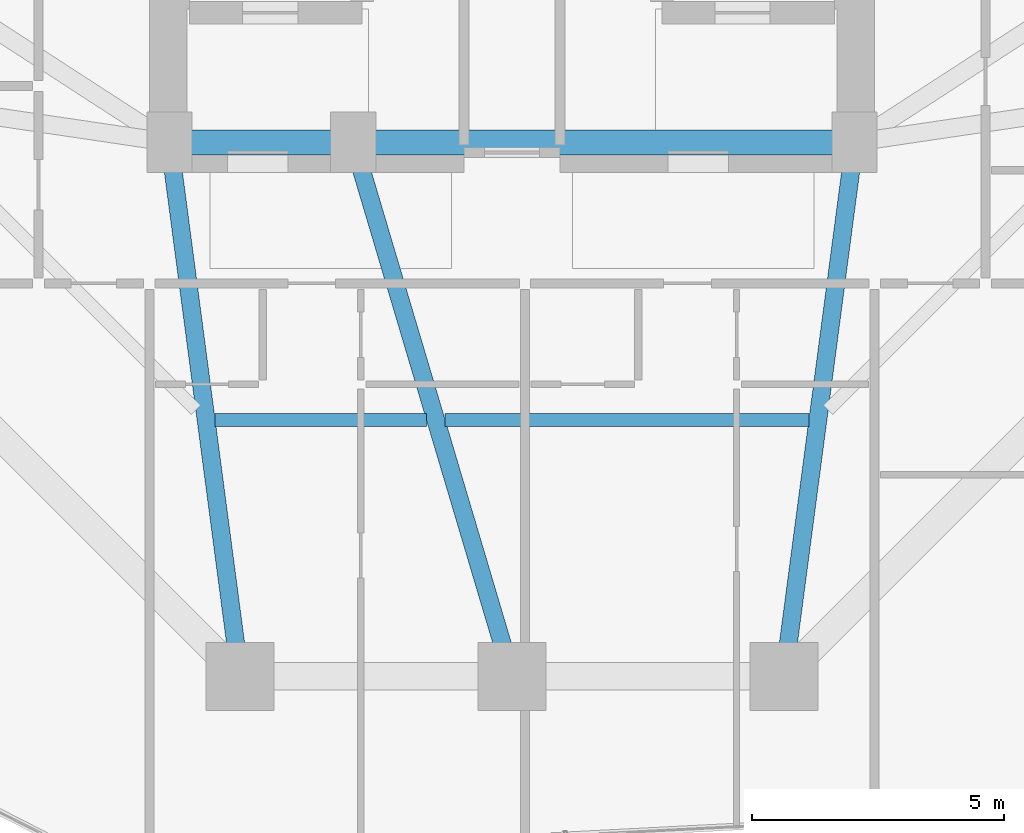
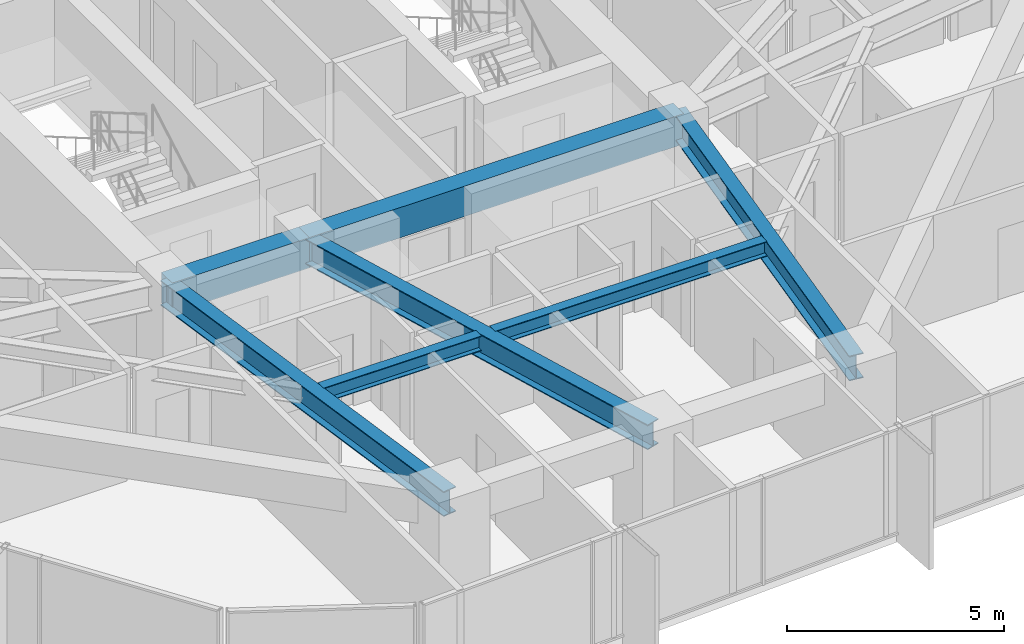
# One storey, part 9 of 37: 7 beams.
"""IFC4 building model written with IfcOpenShell, lengths in metres."""

from ifc_helpers import new_model, si_unit, direction, frame, origin, origin_2d, place, context, subcontext, project, spatial, rectangle, i_section, extrude, material, material_profile, profile_set, type_object, element, save


model = new_model("IFC4")

# Units and contexts
model_context = context("Model", 3, precision=1e-05, world=origin(), true_north=direction((0.0, 1.0)))
body_context = subcontext(model_context, "Body", "Model", "MODEL_VIEW")
ifc_project = project(units=[si_unit("LENGTHUNIT", "METRE"), si_unit("AREAUNIT", "SQUARE_METRE"), si_unit("VOLUMEUNIT", "CUBIC_METRE"), si_unit("PLANEANGLEUNIT", "RADIAN"), si_unit("MASSUNIT", "GRAM", prefix="KILO")], contexts=[model_context])

# Site, building, storey
site_placement = place(None, origin())
site = spatial("IfcSite", under=ifc_project, at=site_placement, CompositionType="ELEMENT")
building_placement = place(site_placement, origin())
building = spatial("IfcBuilding", under=site, at=building_placement, Name="Veraguas Prism Commons", CompositionType="ELEMENT")
storey_placement = place(building_placement, frame((0.0, 0.0, 33.800048828125)))
storey = spatial("IfcBuildingStorey", under=building, at=storey_placement, Name="L08", CompositionType="ELEMENT", Elevation=33.800048828125)

# Beams
ifc_material_1 = material(Name="Concrete C50/60", Category="concrete")
ifc_material_profile_1 = material_profile(ifc_material_1, rectangle(XDim=0.5, YDim=0.85009765625, at=origin_2d()), Name="RC500X850")
ifc_profile_set_1 = profile_set([ifc_material_profile_1], Name="Concrete C50/60")
beam_type_1 = type_object("IfcBeamType", Name="Core Coupling Beam RC 500x850", PredefinedType="BEAM", material=ifc_profile_set_1)
beam_1_placement = place(storey_placement, frame((17.199951171875, 17.0, 2.574951171875), z_axis=(1.0, 0.0, 0.0), x_axis=(0.0, 1.0, 0.0)))
element("IfcBeam", 1, at=beam_1_placement, inside=storey, type_object=beam_type_1, Name="Core Coupling Beam L08-CRS1", PredefinedType="BEAM", context=body_context, shape_type="SweptSolid", body=[
    extrude(rectangle(XDim=0.5, YDim=0.85009765625, at=origin_2d()), origin(), (0.0, 0.0, 1.0), 3.650146484375),
])
beam_2_placement = place(storey_placement, frame((20.85009765625, 17.0, 2.574951171875), z_axis=(1.0, 0.0, 0.0), x_axis=(0.0, 1.0, 0.0)))
element("IfcBeam", 2, at=beam_2_placement, inside=storey, type_object=beam_type_1, Name="Core Coupling Beam L08-CRS2", PredefinedType="BEAM", context=body_context, shape_type="SweptSolid", body=[
    extrude(rectangle(XDim=0.5, YDim=0.85009765625, at=origin_2d()), origin(), (0.0, 0.0, 1.0), 9.949951171875),
])
ifc_material_2 = material(Name="Steel ASTM A992 Grade 50", Category="steel")
ifc_material_profile_2 = material_profile(ifc_material_2, i_section(OverallWidth=0.260986328125, OverallDepth=0.419921875, WebThickness=0.01171875, FlangeThickness=0.019287109375, at=origin_2d()), Name="W410X114")
ifc_profile_set_2 = profile_set([ifc_material_profile_2], Name="Steel ASTM A992 Grade 50")
beam_type_2 = type_object("IfcBeamType", Name="Lower Floor Joist W410x114", PredefinedType="JOIST", material=ifc_profile_set_2)
beam_3_placement = place(storey_placement, frame((18.10546875, 11.488037109375, 2.7900390625), z_axis=(1.0, 0.0, 0.0), x_axis=(0.0, 1.0, 0.0)))
element("IfcBeam", 3, at=beam_3_placement, inside=storey, type_object=beam_type_2, Name="Composite Floor Joist L08-JS10", PredefinedType="JOIST", context=body_context, shape_type="SweptSolid", body=[
    extrude(i_section(OverallWidth=0.260986328125, OverallDepth=0.419921875, WebThickness=0.01171875, FlangeThickness=0.019287109375, at=origin_2d()), origin(), (0.0, 0.0, 1.0), 4.198974609375),
])
beam_4_placement = place(storey_placement, frame((22.671630859375, 11.488037109375, 2.7900390625), z_axis=(1.0, 0.0, 0.0), x_axis=(0.0, 1.0, 0.0)))
element("IfcBeam", 4, at=beam_4_placement, inside=storey, type_object=beam_type_2, Name="Composite Floor Joist L08-JS11", PredefinedType="JOIST", context=body_context, shape_type="SweptSolid", body=[
    extrude(i_section(OverallWidth=0.260986328125, OverallDepth=0.419921875, WebThickness=0.01171875, FlangeThickness=0.019287109375, at=origin_2d()), origin(), (0.0, 0.0, 1.0), 7.222900390625),
])
ifc_material_profile_3 = material_profile(ifc_material_2, i_section(OverallWidth=0.35595703125, OverallDepth=0.700927734375, WebThickness=0.016845703125, FlangeThickness=0.02734375, at=origin_2d()), Name="W690X240")
ifc_profile_set_3 = profile_set([ifc_material_profile_3], Name="Steel ASTM A992 Grade 50")
beam_type_3 = type_object("IfcBeamType", Name="Zone 1 Radial Girder W690x240", PredefinedType="BEAM", material=ifc_profile_set_3)
beam_5_placement = place(storey_placement, frame((18.60009765625, 6.39990234375, 2.6494140625), z_axis=(-0.130950648891, 0.991388888154, 0.0), x_axis=(-0.991388888154, -0.130950648891, 0.0)))
element("IfcBeam", 5, at=beam_5_placement, inside=storey, type_object=beam_type_3, Name="Radial Floor Girder L08-RD10", PredefinedType="BEAM", context=body_context, shape_type="SweptSolid", body=[
    extrude(i_section(OverallWidth=0.35595703125, OverallDepth=0.700927734375, WebThickness=0.016845703125, FlangeThickness=0.02734375, at=origin_2d()), origin(), (0.0, 0.0, 1.0), 10.692138671875),
])
beam_6_placement = place(storey_placement, frame((24.0, 6.39990234375, 2.6494140625), z_axis=(-0.28484745997, 0.958572858237, 0.0), x_axis=(-0.958572858237, -0.28484745997, 0.0)))
element("IfcBeam", 6, at=beam_6_placement, inside=storey, type_object=beam_type_3, Name="Radial Floor Girder L08-RD11", PredefinedType="BEAM", context=body_context, shape_type="SweptSolid", body=[
    extrude(i_section(OverallWidth=0.35595703125, OverallDepth=0.700927734375, WebThickness=0.016845703125, FlangeThickness=0.02734375, at=origin_2d()), origin(), (0.0, 0.0, 1.0), 11.05810546875),
])
beam_7_placement = place(storey_placement, frame((29.39990234375, 6.39990234375, 2.6494140625), z_axis=(0.130950648891, 0.991388888154, 0.0), x_axis=(-0.991388888154, 0.130950648891, 0.0)))
element("IfcBeam", 7, at=beam_7_placement, inside=storey, type_object=beam_type_3, Name="Radial Floor Girder L08-RD12", PredefinedType="BEAM", context=body_context, shape_type="SweptSolid", body=[
    extrude(i_section(OverallWidth=0.35595703125, OverallDepth=0.700927734375, WebThickness=0.016845703125, FlangeThickness=0.02734375, at=origin_2d()), origin(), (0.0, 0.0, 1.0), 10.692138671875),
])

save(model, "model.ifc")
